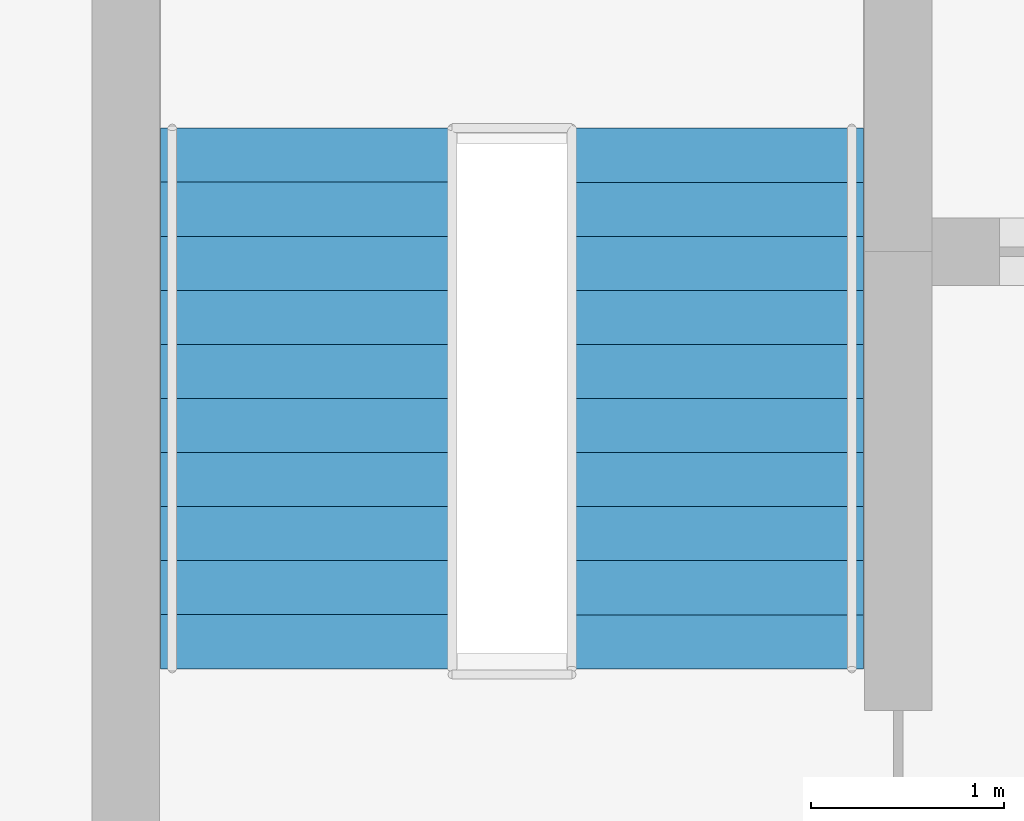
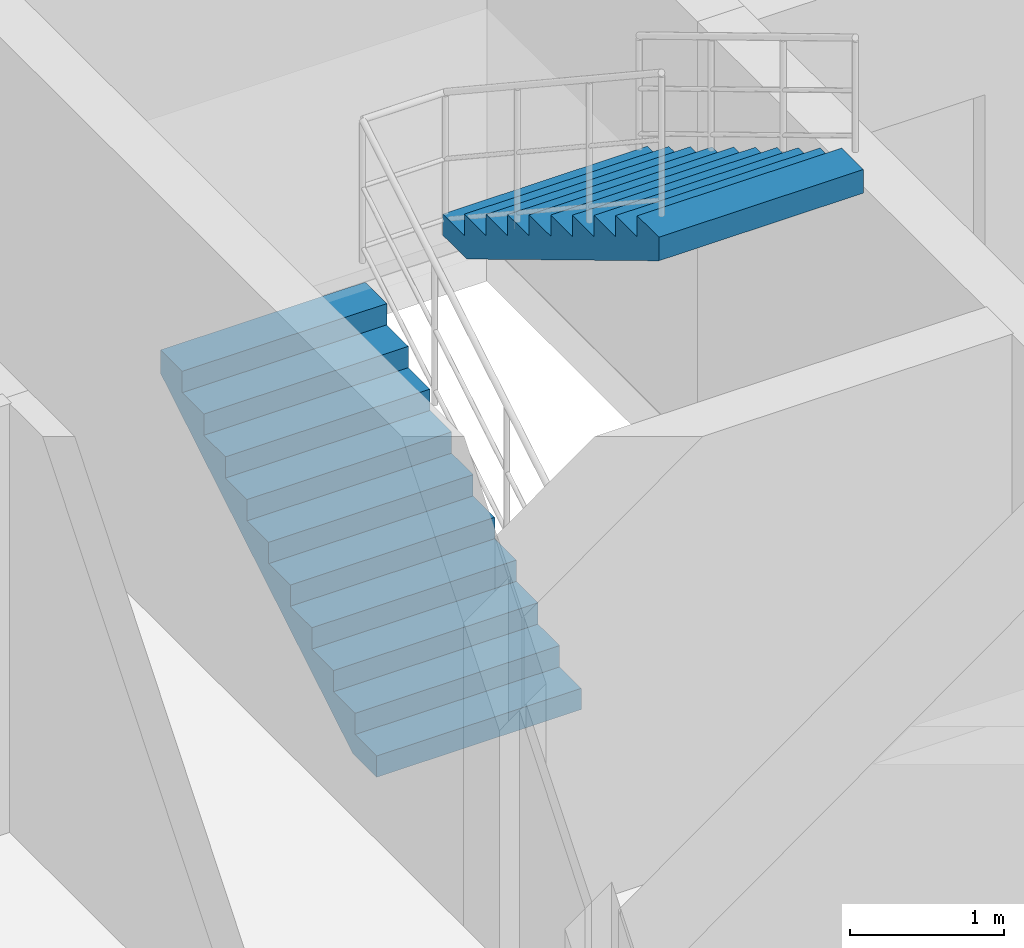
# One storey, part 27 of 28: 2 stair flights, 1 element without a shape of its own.
"""IFC4 building model written with IfcOpenShell, lengths in metres."""

from ifc_helpers import new_model, si_unit, direction, frame, origin, place, context, subcontext, project, spatial, polyline, outline, extrude, material, type_object, element, aggregate, save


model = new_model("IFC4")

# Units and contexts
model_context = context("Model", 3, precision=1e-05, world=origin(), true_north=direction((0.0, 1.0)))
body_context = subcontext(model_context, "Body", "Model", "MODEL_VIEW")
ifc_project = project(units=[si_unit("LENGTHUNIT", "METRE"), si_unit("AREAUNIT", "SQUARE_METRE"), si_unit("VOLUMEUNIT", "CUBIC_METRE"), si_unit("PLANEANGLEUNIT", "RADIAN"), si_unit("MASSUNIT", "GRAM", prefix="KILO")], contexts=[model_context])

# Site, building, storey
site_placement = place(None, origin())
site = spatial("IfcSite", under=ifc_project, at=site_placement, CompositionType="ELEMENT")
building_placement = place(site_placement, origin())
building = spatial("IfcBuilding", under=site, at=building_placement, Name="Keshet Zoharim Tower", CompositionType="ELEMENT")
storey_placement = place(building_placement, frame((0.0, 0.0, 265.800048828125)))
storey = spatial("IfcBuildingStorey", under=building, at=storey_placement, Name="L66", CompositionType="ELEMENT", Elevation=265.800048828125)

# Stair, stair flights
ifc_material = material(Name="Concrete C50/60", Category="concrete")
stair_type = type_object("IfcStairType", Name="STR-EXIT-135", PredefinedType="HALF_TURN_STAIR", material=ifc_material)
stair_placement = place(storey_placement, origin())
stair = element("IfcStair", 1, at=stair_placement, inside=storey, type_object=stair_type, Name="L66 Enclosed Exit Stair ST-02", PredefinedType="HALF_TURN_STAIR")
stair_flight_type = type_object("IfcStairFlightType", Name="FLT-PRE-135", PredefinedType="STRAIGHT", material=ifc_material)
stair_flight_1_placement = place(storey_placement, frame((15.945068359375, 32.840087890625, 0.0), z_axis=(0.0, 0.0, 1.0), x_axis=(0.0, 1.0, 0.0)))
stair_flight_1 = element("IfcStairFlight", 2, at=stair_flight_1_placement, type_object=stair_flight_type, Name="ST-02 flight 1", NumberOfRisers=11, NumberOfTreads=10, PredefinedType="STRAIGHT", RiserHeight=0.168182, TreadLength=0.28, context=body_context, shape_type="SweptSolid", body=[
    extrude(outline(polyline([(0.0, 0.0), (0.0, 0.168212890625), (0.280029296875, 0.168212890625), (0.280029296875, 0.33642578125), (0.56005859375, 0.33642578125), (0.56005859375, 0.504638671875), (0.840087890625, 0.504638671875), (0.840087890625, 0.672607421875), (1.1201171875, 0.672607421875), (1.1201171875, 0.8408203125), (1.39990234375, 0.8408203125), (1.39990234375, 1.009033203125), (1.679931640625, 1.009033203125), (1.679931640625, 1.17724609375), (1.9599609375, 1.17724609375), (1.9599609375, 1.345458984375), (2.239990234375, 1.345458984375), (2.239990234375, 1.513671875), (2.52001953125, 1.513671875), (2.52001953125, 1.681884765625), (2.800048828125, 1.681884765625), (2.800048828125, 1.85009765625), (2.800048828125, 1.495361328125), (0.310546875, 0.0), (0.0, 0.0)])), frame((0.0, 0.76513671875, 0.0), z_axis=(0.0, -1.0, 0.0), x_axis=(1.0, 0.0, 0.0)), (0.0, 0.0, 1.0), 1.530029296875),
])
stair_flight_2_placement = place(storey_placement, frame((18.054931640625, 35.639892578125, 1.849853515625), z_axis=(0.0, 0.0, 1.0), x_axis=(0.0, -1.0, 0.0)))
stair_flight_2 = element("IfcStairFlight", 3, at=stair_flight_2_placement, type_object=stair_flight_type, Name="ST-02 flight 2", NumberOfRisers=11, NumberOfTreads=10, PredefinedType="STRAIGHT", RiserHeight=0.168182, TreadLength=0.28, context=body_context, shape_type="SweptSolid", body=[
    extrude(outline(polyline([(0.0, 0.0), (0.0, 0.168212890625), (0.280029296875, 0.168212890625), (0.280029296875, 0.33642578125), (0.56005859375, 0.33642578125), (0.56005859375, 0.504638671875), (0.840087890625, 0.504638671875), (0.840087890625, 0.672607421875), (1.1201171875, 0.672607421875), (1.1201171875, 0.8408203125), (1.39990234375, 0.8408203125), (1.39990234375, 1.009033203125), (1.679931640625, 1.009033203125), (1.679931640625, 1.17724609375), (1.9599609375, 1.17724609375), (1.9599609375, 1.345458984375), (2.239990234375, 1.345458984375), (2.239990234375, 1.513671875), (2.52001953125, 1.513671875), (2.52001953125, 1.681884765625), (2.800048828125, 1.681884765625), (2.800048828125, 1.85009765625), (2.800048828125, 1.495361328125), (0.310546875, 0.0), (0.0, 0.0)])), frame((0.0, 0.76513671875, 0.0), z_axis=(0.0, -1.0, 0.0), x_axis=(1.0, 0.0, 0.0)), (0.0, 0.0, 1.0), 1.530029296875),
])
aggregate(stair, [stair_flight_1, stair_flight_2])

save(model, "model.ifc")
